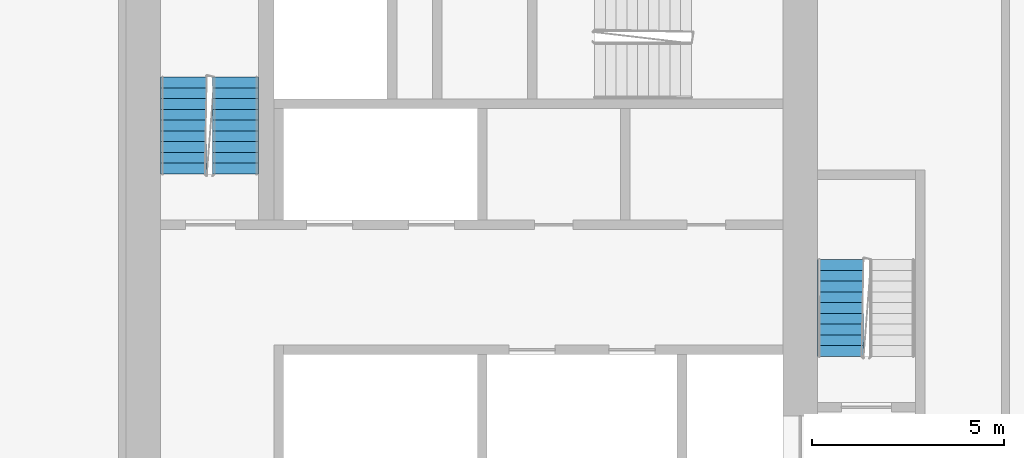
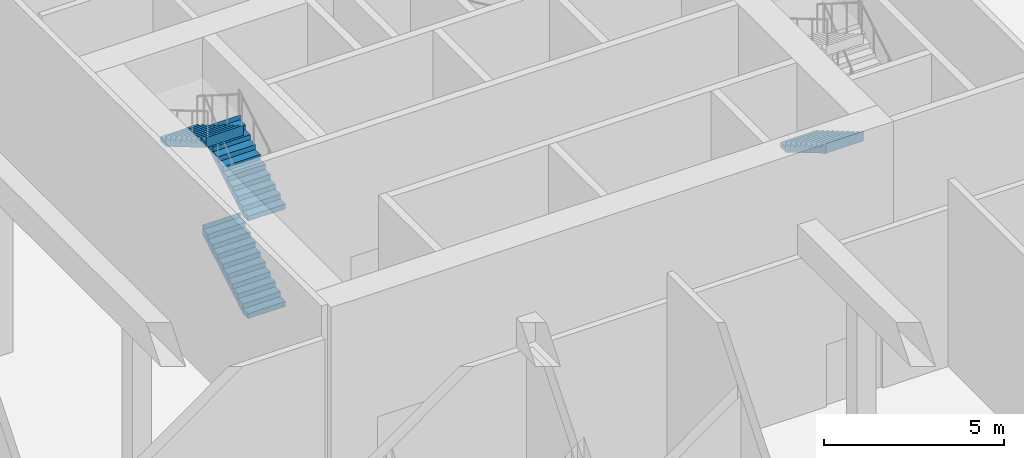
# One storey, part 19 of 24: 4 stair flights, 2 elements without a shape of their own.
"""IFC4 building model written with IfcOpenShell, lengths in metres."""

from ifc_helpers import new_model, si_unit, direction, frame, origin, place, context, subcontext, project, spatial, faceted_brep, material, type_object, element, aggregate, save


model = new_model("IFC4")

# Units and contexts
model_context = context("Model", 3, precision=1e-05, world=origin(), true_north=direction((0.0, 1.0)))
body_context = subcontext(model_context, "Body", "Model", "MODEL_VIEW")
ifc_project = project(units=[si_unit("LENGTHUNIT", "METRE"), si_unit("AREAUNIT", "SQUARE_METRE"), si_unit("VOLUMEUNIT", "CUBIC_METRE"), si_unit("PLANEANGLEUNIT", "RADIAN"), si_unit("MASSUNIT", "GRAM", prefix="KILO")], contexts=[model_context])

# Site, building, storey
site_placement = place(None, origin())
site = spatial("IfcSite", under=ifc_project, at=site_placement, CompositionType="ELEMENT")
building_placement = place(site_placement, origin())
building = spatial("IfcBuilding", under=site, at=building_placement, Name="Kajstack Hotel Tower", CompositionType="ELEMENT")
storey_placement = place(building_placement, frame((0.0, 0.0, 211.10009765625)))
storey = spatial("IfcBuildingStorey", under=building, at=storey_placement, Name="L51", CompositionType="ELEMENT", Elevation=211.10009765625)

# Stair, stair flight
ifc_material = material(Name="Concrete C40/50", Category="concrete")
stair_type = type_object("IfcStairType", Name="Exit stair 1200", PredefinedType="HALF_TURN_STAIR", material=ifc_material)
stair_1_placement = place(storey_placement, origin())
stair_1 = element("IfcStair", 1, at=stair_1_placement, inside=storey, type_object=stair_type, Name="L51 stair E1", PredefinedType="HALF_TURN_STAIR")
stair_flight_type = type_object("IfcStairFlightType", Name="Exit stair flight 1200", PredefinedType="STRAIGHT", material=ifc_material)
stair_flight_1_placement = place(storey_placement, frame((32.10009765625, 7.77001953125, 1.64990234375), z_axis=(0.0, 0.0, 1.0), x_axis=(0.0, -1.0, 0.0)))
stair_flight_1 = element("IfcStairFlight", 2, at=stair_flight_1_placement, type_object=stair_flight_type, Name="E1 flight 2", NumberOfRisers=10, NumberOfTreads=9, PredefinedType="STRAIGHT", RiserHeight=0.165, TreadLength=0.28, context=body_context, shape_type="Brep", body=[
    faceted_brep([(0.295654296875, -0.60009765625, 0.0), (2.5205078125, -0.60009765625, 1.31103515625), (2.5205078125, -0.60009765625, 1.64990234375), (2.52001953125, -0.60009765625, 1.64990234375), (2.52001953125, -0.60009765625, 1.485107421875), (2.239990234375, -0.60009765625, 1.485107421875), (2.239990234375, -0.60009765625, 1.320068359375), (1.9599609375, -0.60009765625, 1.320068359375), (1.9599609375, -0.60009765625, 1.155029296875), (1.679931640625, -0.60009765625, 1.155029296875), (1.679931640625, -0.60009765625, 0.989990234375), (1.39990234375, -0.60009765625, 0.989990234375), (1.39990234375, -0.60009765625, 0.824951171875), (1.1201171875, -0.60009765625, 0.824951171875), (1.1201171875, -0.60009765625, 0.659912109375), (0.840087890625, -0.60009765625, 0.659912109375), (0.840087890625, -0.60009765625, 0.4951171875), (0.56005859375, -0.60009765625, 0.4951171875), (0.56005859375, -0.60009765625, 0.330078125), (0.280029296875, -0.60009765625, 0.330078125), (0.280029296875, -0.60009765625, 0.1650390625), (-0.00048828125, -0.60009765625, 0.1650390625), (-0.00048828125, -0.60009765625, 0.0), (-0.00048828125, 0.60009765625, 0.0), (-0.00048828125, 0.60009765625, 0.1650390625), (0.280029296875, 0.60009765625, 0.1650390625), (0.280029296875, 0.60009765625, 0.330078125), (0.56005859375, 0.60009765625, 0.330078125), (0.56005859375, 0.60009765625, 0.4951171875), (0.840087890625, 0.60009765625, 0.4951171875), (0.840087890625, 0.60009765625, 0.659912109375), (1.1201171875, 0.60009765625, 0.659912109375), (1.1201171875, 0.60009765625, 0.824951171875), (1.39990234375, 0.60009765625, 0.824951171875), (1.39990234375, 0.60009765625, 0.989990234375), (1.679931640625, 0.60009765625, 0.989990234375), (1.679931640625, 0.60009765625, 1.155029296875), (1.9599609375, 0.60009765625, 1.155029296875), (1.9599609375, 0.60009765625, 1.320068359375), (2.239990234375, 0.60009765625, 1.320068359375), (2.239990234375, 0.60009765625, 1.485107421875), (2.52001953125, 0.60009765625, 1.485107421875), (2.52001953125, 0.60009765625, 1.64990234375), (2.5205078125, 0.60009765625, 1.64990234375), (2.5205078125, 0.60009765625, 1.31103515625), (0.295654296875, 0.60009765625, 0.0), (-0.00048828125, -0.300048828125, 0.1650390625), (-0.00048828125, 0.0, 0.1650390625), (-0.00048828125, 0.300048828125, 0.1650390625), (-0.00048828125, 0.300048828125, 0.0), (-0.00048828125, 0.0, 0.0), (-0.00048828125, -0.300048828125, 0.0), (0.280029296875, -0.300048828125, 0.1650390625), (0.280029296875, 0.0, 0.1650390625), (0.280029296875, 0.300048828125, 0.1650390625), (0.280029296875, -0.300048828125, 0.330078125), (0.280029296875, 0.0, 0.330078125), (0.280029296875, 0.300048828125, 0.330078125), (0.56005859375, -0.300048828125, 0.330078125), (0.56005859375, 0.0, 0.330078125), (0.56005859375, 0.300048828125, 0.330078125), (0.56005859375, -0.300048828125, 0.4951171875), (0.56005859375, 0.0, 0.4951171875), (0.56005859375, 0.300048828125, 0.4951171875), (0.840087890625, -0.300048828125, 0.4951171875), (0.840087890625, 0.0, 0.4951171875), (0.840087890625, 0.300048828125, 0.4951171875), (0.840087890625, -0.300048828125, 0.659912109375), (0.840087890625, 0.0, 0.659912109375), (0.840087890625, 0.300048828125, 0.659912109375), (1.1201171875, -0.300048828125, 0.659912109375), (1.1201171875, 0.0, 0.659912109375), (1.1201171875, 0.300048828125, 0.659912109375), (1.1201171875, -0.300048828125, 0.824951171875), (1.1201171875, 0.0, 0.824951171875), (1.1201171875, 0.300048828125, 0.824951171875), (1.39990234375, -0.300048828125, 0.824951171875), (1.39990234375, 0.0, 0.824951171875), (1.39990234375, 0.300048828125, 0.824951171875), (1.39990234375, -0.300048828125, 0.989990234375), (1.39990234375, 0.0, 0.989990234375), (1.39990234375, 0.300048828125, 0.989990234375), (1.679931640625, -0.300048828125, 0.989990234375), (1.679931640625, 0.0, 0.989990234375), (1.679931640625, 0.300048828125, 0.989990234375), (1.679931640625, -0.300048828125, 1.155029296875), (1.679931640625, 0.0, 1.155029296875), (1.679931640625, 0.300048828125, 1.155029296875), (1.9599609375, -0.300048828125, 1.155029296875), (1.9599609375, 0.0, 1.155029296875), (1.9599609375, 0.300048828125, 1.155029296875), (1.9599609375, -0.300048828125, 1.320068359375), (1.9599609375, 0.0, 1.320068359375), (1.9599609375, 0.300048828125, 1.320068359375), (2.239990234375, -0.300048828125, 1.320068359375), (2.239990234375, 0.0, 1.320068359375), (2.239990234375, 0.300048828125, 1.320068359375), (2.239990234375, -0.300048828125, 1.485107421875), (2.239990234375, 0.0, 1.485107421875), (2.239990234375, 0.300048828125, 1.485107421875), (2.52001953125, -0.300048828125, 1.485107421875), (2.52001953125, 0.0, 1.485107421875), (2.52001953125, 0.300048828125, 1.485107421875), (2.52001953125, -0.300048828125, 1.64990234375), (2.52001953125, 0.0, 1.64990234375), (2.52001953125, 0.300048828125, 1.64990234375), (2.5205078125, -0.300048828125, 1.64990234375), (2.5205078125, 0.0, 1.64990234375), (2.5205078125, 0.300048828125, 1.64990234375), (2.5205078125, -0.300048828125, 1.31103515625), (2.5205078125, 0.0, 1.31103515625), (2.5205078125, 0.300048828125, 1.31103515625), (0.295654296875, -0.300048828125, 0.0), (0.295654296875, 0.0, 0.0), (0.295654296875, 0.300048828125, 0.0)], [[[0, 1, 2, 3, 4, 5, 6, 7, 8, 9, 10, 11, 12, 13, 14, 15, 16, 17, 18, 19, 20, 21, 22]], [[23, 24, 25, 26, 27, 28, 29, 30, 31, 32, 33, 34, 35, 36, 37, 38, 39, 40, 41, 42, 43, 44, 45]], [[21, 46, 47, 48, 24, 23, 49, 50, 51, 22]], [[20, 52, 53, 54, 25, 24, 48, 47, 46, 21]], [[19, 55, 56, 57, 26, 25, 54, 53, 52, 20]], [[18, 58, 59, 60, 27, 26, 57, 56, 55, 19]], [[17, 61, 62, 63, 28, 27, 60, 59, 58, 18]], [[16, 64, 65, 66, 29, 28, 63, 62, 61, 17]], [[15, 67, 68, 69, 30, 29, 66, 65, 64, 16]], [[14, 70, 71, 72, 31, 30, 69, 68, 67, 15]], [[13, 73, 74, 75, 32, 31, 72, 71, 70, 14]], [[12, 76, 77, 78, 33, 32, 75, 74, 73, 13]], [[11, 79, 80, 81, 34, 33, 78, 77, 76, 12]], [[10, 82, 83, 84, 35, 34, 81, 80, 79, 11]], [[9, 85, 86, 87, 36, 35, 84, 83, 82, 10]], [[8, 88, 89, 90, 37, 36, 87, 86, 85, 9]], [[7, 91, 92, 93, 38, 37, 90, 89, 88, 8]], [[6, 94, 95, 96, 39, 38, 93, 92, 91, 7]], [[5, 97, 98, 99, 40, 39, 96, 95, 94, 6]], [[4, 100, 101, 102, 41, 40, 99, 98, 97, 5]], [[3, 103, 104, 105, 42, 41, 102, 101, 100, 4]], [[2, 106, 107, 108, 43, 42, 105, 104, 103, 3]], [[1, 109, 110, 111, 44, 43, 108, 107, 106, 2]], [[0, 112, 113, 114, 45, 44, 111, 110, 109, 1]], [[22, 51, 50, 49, 23, 45, 114, 113, 112, 0]]]),
])
aggregate(stair_1, [stair_flight_1])

# Stair, stair flights
stair_2_placement = place(storey_placement, origin())
stair_2 = element("IfcStair", 3, at=stair_2_placement, inside=storey, type_object=stair_type, Name="L51 stair E2", PredefinedType="HALF_TURN_STAIR")
stair_flight_2_placement = place(storey_placement, frame((16.35009765625, 10.0, 0.0), z_axis=(0.0, 0.0, 1.0), x_axis=(0.0, 1.0, 0.0)))
stair_flight_2 = element("IfcStairFlight", 4, at=stair_flight_2_placement, type_object=stair_flight_type, Name="E2 flight 1", NumberOfRisers=10, NumberOfTreads=9, PredefinedType="STRAIGHT", RiserHeight=0.165, TreadLength=0.28, context=body_context, shape_type="Brep", body=[
    faceted_brep([(0.295654296875, -0.60009765625, 0.0), (2.5205078125, -0.60009765625, 1.31103515625), (2.5205078125, -0.60009765625, 1.64990234375), (2.52001953125, -0.60009765625, 1.64990234375), (2.52001953125, -0.60009765625, 1.485107421875), (2.239990234375, -0.60009765625, 1.485107421875), (2.239990234375, -0.60009765625, 1.320068359375), (1.9599609375, -0.60009765625, 1.320068359375), (1.9599609375, -0.60009765625, 1.155029296875), (1.679931640625, -0.60009765625, 1.155029296875), (1.679931640625, -0.60009765625, 0.989990234375), (1.39990234375, -0.60009765625, 0.989990234375), (1.39990234375, -0.60009765625, 0.824951171875), (1.1201171875, -0.60009765625, 0.824951171875), (1.1201171875, -0.60009765625, 0.659912109375), (0.840087890625, -0.60009765625, 0.659912109375), (0.840087890625, -0.60009765625, 0.4951171875), (0.56005859375, -0.60009765625, 0.4951171875), (0.56005859375, -0.60009765625, 0.330078125), (0.280029296875, -0.60009765625, 0.330078125), (0.280029296875, -0.60009765625, 0.1650390625), (-0.00048828125, -0.60009765625, 0.1650390625), (-0.00048828125, -0.60009765625, 0.0), (-0.00048828125, 0.60009765625, 0.0), (-0.00048828125, 0.60009765625, 0.1650390625), (0.280029296875, 0.60009765625, 0.1650390625), (0.280029296875, 0.60009765625, 0.330078125), (0.56005859375, 0.60009765625, 0.330078125), (0.56005859375, 0.60009765625, 0.4951171875), (0.840087890625, 0.60009765625, 0.4951171875), (0.840087890625, 0.60009765625, 0.659912109375), (1.1201171875, 0.60009765625, 0.659912109375), (1.1201171875, 0.60009765625, 0.824951171875), (1.39990234375, 0.60009765625, 0.824951171875), (1.39990234375, 0.60009765625, 0.989990234375), (1.679931640625, 0.60009765625, 0.989990234375), (1.679931640625, 0.60009765625, 1.155029296875), (1.9599609375, 0.60009765625, 1.155029296875), (1.9599609375, 0.60009765625, 1.320068359375), (2.239990234375, 0.60009765625, 1.320068359375), (2.239990234375, 0.60009765625, 1.485107421875), (2.52001953125, 0.60009765625, 1.485107421875), (2.52001953125, 0.60009765625, 1.64990234375), (2.5205078125, 0.60009765625, 1.64990234375), (2.5205078125, 0.60009765625, 1.31103515625), (0.295654296875, 0.60009765625, 0.0), (-0.00048828125, -0.300048828125, 0.1650390625), (-0.00048828125, 0.0, 0.1650390625), (-0.00048828125, 0.300048828125, 0.1650390625), (-0.00048828125, 0.300048828125, 0.0), (-0.00048828125, 0.0, 0.0), (-0.00048828125, -0.300048828125, 0.0), (0.280029296875, -0.300048828125, 0.1650390625), (0.280029296875, 0.0, 0.1650390625), (0.280029296875, 0.300048828125, 0.1650390625), (0.280029296875, -0.300048828125, 0.330078125), (0.280029296875, 0.0, 0.330078125), (0.280029296875, 0.300048828125, 0.330078125), (0.56005859375, -0.300048828125, 0.330078125), (0.56005859375, 0.0, 0.330078125), (0.56005859375, 0.300048828125, 0.330078125), (0.56005859375, -0.300048828125, 0.4951171875), (0.56005859375, 0.0, 0.4951171875), (0.56005859375, 0.300048828125, 0.4951171875), (0.840087890625, -0.300048828125, 0.4951171875), (0.840087890625, 0.0, 0.4951171875), (0.840087890625, 0.300048828125, 0.4951171875), (0.840087890625, -0.300048828125, 0.659912109375), (0.840087890625, 0.0, 0.659912109375), (0.840087890625, 0.300048828125, 0.659912109375), (1.1201171875, -0.300048828125, 0.659912109375), (1.1201171875, 0.0, 0.659912109375), (1.1201171875, 0.300048828125, 0.659912109375), (1.1201171875, -0.300048828125, 0.824951171875), (1.1201171875, 0.0, 0.824951171875), (1.1201171875, 0.300048828125, 0.824951171875), (1.39990234375, -0.300048828125, 0.824951171875), (1.39990234375, 0.0, 0.824951171875), (1.39990234375, 0.300048828125, 0.824951171875), (1.39990234375, -0.300048828125, 0.989990234375), (1.39990234375, 0.0, 0.989990234375), (1.39990234375, 0.300048828125, 0.989990234375), (1.679931640625, -0.300048828125, 0.989990234375), (1.679931640625, 0.0, 0.989990234375), (1.679931640625, 0.300048828125, 0.989990234375), (1.679931640625, -0.300048828125, 1.155029296875), (1.679931640625, 0.0, 1.155029296875), (1.679931640625, 0.300048828125, 1.155029296875), (1.9599609375, -0.300048828125, 1.155029296875), (1.9599609375, 0.0, 1.155029296875), (1.9599609375, 0.300048828125, 1.155029296875), (1.9599609375, -0.300048828125, 1.320068359375), (1.9599609375, 0.0, 1.320068359375), (1.9599609375, 0.300048828125, 1.320068359375), (2.239990234375, -0.300048828125, 1.320068359375), (2.239990234375, 0.0, 1.320068359375), (2.239990234375, 0.300048828125, 1.320068359375), (2.239990234375, -0.300048828125, 1.485107421875), (2.239990234375, 0.0, 1.485107421875), (2.239990234375, 0.300048828125, 1.485107421875), (2.52001953125, -0.300048828125, 1.485107421875), (2.52001953125, 0.0, 1.485107421875), (2.52001953125, 0.300048828125, 1.485107421875), (2.52001953125, -0.300048828125, 1.64990234375), (2.52001953125, 0.0, 1.64990234375), (2.52001953125, 0.300048828125, 1.64990234375), (2.5205078125, -0.300048828125, 1.64990234375), (2.5205078125, 0.0, 1.64990234375), (2.5205078125, 0.300048828125, 1.64990234375), (2.5205078125, -0.300048828125, 1.31103515625), (2.5205078125, 0.0, 1.31103515625), (2.5205078125, 0.300048828125, 1.31103515625), (0.295654296875, -0.300048828125, 0.0), (0.295654296875, 0.0, 0.0), (0.295654296875, 0.300048828125, 0.0)], [[[0, 1, 2, 3, 4, 5, 6, 7, 8, 9, 10, 11, 12, 13, 14, 15, 16, 17, 18, 19, 20, 21, 22]], [[23, 24, 25, 26, 27, 28, 29, 30, 31, 32, 33, 34, 35, 36, 37, 38, 39, 40, 41, 42, 43, 44, 45]], [[21, 46, 47, 48, 24, 23, 49, 50, 51, 22]], [[20, 52, 53, 54, 25, 24, 48, 47, 46, 21]], [[19, 55, 56, 57, 26, 25, 54, 53, 52, 20]], [[18, 58, 59, 60, 27, 26, 57, 56, 55, 19]], [[17, 61, 62, 63, 28, 27, 60, 59, 58, 18]], [[16, 64, 65, 66, 29, 28, 63, 62, 61, 17]], [[15, 67, 68, 69, 30, 29, 66, 65, 64, 16]], [[14, 70, 71, 72, 31, 30, 69, 68, 67, 15]], [[13, 73, 74, 75, 32, 31, 72, 71, 70, 14]], [[12, 76, 77, 78, 33, 32, 75, 74, 73, 13]], [[11, 79, 80, 81, 34, 33, 78, 77, 76, 12]], [[10, 82, 83, 84, 35, 34, 81, 80, 79, 11]], [[9, 85, 86, 87, 36, 35, 84, 83, 82, 10]], [[8, 88, 89, 90, 37, 36, 87, 86, 85, 9]], [[7, 91, 92, 93, 38, 37, 90, 89, 88, 8]], [[6, 94, 95, 96, 39, 38, 93, 92, 91, 7]], [[5, 97, 98, 99, 40, 39, 96, 95, 94, 6]], [[4, 100, 101, 102, 41, 40, 99, 98, 97, 5]], [[3, 103, 104, 105, 42, 41, 102, 101, 100, 4]], [[2, 106, 107, 108, 43, 42, 105, 104, 103, 3]], [[1, 109, 110, 111, 44, 43, 108, 107, 106, 2]], [[0, 112, 113, 114, 45, 44, 111, 110, 109, 1]], [[22, 51, 50, 49, 23, 45, 114, 113, 112, 0]]]),
])
stair_flight_3_placement = place(storey_placement, frame((16.35009765625, 10.0, 3.2998046875), z_axis=(0.0, 0.0, 1.0), x_axis=(0.0, 1.0, 0.0)))
stair_flight_3 = element("IfcStairFlight", 5, at=stair_flight_3_placement, type_object=stair_flight_type, Name="E2 flight 3", NumberOfRisers=10, NumberOfTreads=9, PredefinedType="STRAIGHT", RiserHeight=0.165, TreadLength=0.28, context=body_context, shape_type="Brep", body=[
    faceted_brep([(0.295654296875, -0.60009765625, 0.0), (2.5205078125, -0.60009765625, 1.31103515625), (2.5205078125, -0.60009765625, 1.64990234375), (2.52001953125, -0.60009765625, 1.64990234375), (2.52001953125, -0.60009765625, 1.485107421875), (2.239990234375, -0.60009765625, 1.485107421875), (2.239990234375, -0.60009765625, 1.320068359375), (1.9599609375, -0.60009765625, 1.320068359375), (1.9599609375, -0.60009765625, 1.155029296875), (1.679931640625, -0.60009765625, 1.155029296875), (1.679931640625, -0.60009765625, 0.989990234375), (1.39990234375, -0.60009765625, 0.989990234375), (1.39990234375, -0.60009765625, 0.824951171875), (1.1201171875, -0.60009765625, 0.824951171875), (1.1201171875, -0.60009765625, 0.659912109375), (0.840087890625, -0.60009765625, 0.659912109375), (0.840087890625, -0.60009765625, 0.4951171875), (0.56005859375, -0.60009765625, 0.4951171875), (0.56005859375, -0.60009765625, 0.330078125), (0.280029296875, -0.60009765625, 0.330078125), (0.280029296875, -0.60009765625, 0.1650390625), (-0.00048828125, -0.60009765625, 0.1650390625), (-0.00048828125, -0.60009765625, 0.0), (-0.00048828125, 0.60009765625, 0.0), (-0.00048828125, 0.60009765625, 0.1650390625), (0.280029296875, 0.60009765625, 0.1650390625), (0.280029296875, 0.60009765625, 0.330078125), (0.56005859375, 0.60009765625, 0.330078125), (0.56005859375, 0.60009765625, 0.4951171875), (0.840087890625, 0.60009765625, 0.4951171875), (0.840087890625, 0.60009765625, 0.659912109375), (1.1201171875, 0.60009765625, 0.659912109375), (1.1201171875, 0.60009765625, 0.824951171875), (1.39990234375, 0.60009765625, 0.824951171875), (1.39990234375, 0.60009765625, 0.989990234375), (1.679931640625, 0.60009765625, 0.989990234375), (1.679931640625, 0.60009765625, 1.155029296875), (1.9599609375, 0.60009765625, 1.155029296875), (1.9599609375, 0.60009765625, 1.320068359375), (2.239990234375, 0.60009765625, 1.320068359375), (2.239990234375, 0.60009765625, 1.485107421875), (2.52001953125, 0.60009765625, 1.485107421875), (2.52001953125, 0.60009765625, 1.64990234375), (2.5205078125, 0.60009765625, 1.64990234375), (2.5205078125, 0.60009765625, 1.31103515625), (0.295654296875, 0.60009765625, 0.0), (-0.00048828125, -0.300048828125, 0.1650390625), (-0.00048828125, 0.0, 0.1650390625), (-0.00048828125, 0.300048828125, 0.1650390625), (-0.00048828125, 0.300048828125, 0.0), (-0.00048828125, 0.0, 0.0), (-0.00048828125, -0.300048828125, 0.0), (0.280029296875, -0.300048828125, 0.1650390625), (0.280029296875, 0.0, 0.1650390625), (0.280029296875, 0.300048828125, 0.1650390625), (0.280029296875, -0.300048828125, 0.330078125), (0.280029296875, 0.0, 0.330078125), (0.280029296875, 0.300048828125, 0.330078125), (0.56005859375, -0.300048828125, 0.330078125), (0.56005859375, 0.0, 0.330078125), (0.56005859375, 0.300048828125, 0.330078125), (0.56005859375, -0.300048828125, 0.4951171875), (0.56005859375, 0.0, 0.4951171875), (0.56005859375, 0.300048828125, 0.4951171875), (0.840087890625, -0.300048828125, 0.4951171875), (0.840087890625, 0.0, 0.4951171875), (0.840087890625, 0.300048828125, 0.4951171875), (0.840087890625, -0.300048828125, 0.659912109375), (0.840087890625, 0.0, 0.659912109375), (0.840087890625, 0.300048828125, 0.659912109375), (1.1201171875, -0.300048828125, 0.659912109375), (1.1201171875, 0.0, 0.659912109375), (1.1201171875, 0.300048828125, 0.659912109375), (1.1201171875, -0.300048828125, 0.824951171875), (1.1201171875, 0.0, 0.824951171875), (1.1201171875, 0.300048828125, 0.824951171875), (1.39990234375, -0.300048828125, 0.824951171875), (1.39990234375, 0.0, 0.824951171875), (1.39990234375, 0.300048828125, 0.824951171875), (1.39990234375, -0.300048828125, 0.989990234375), (1.39990234375, 0.0, 0.989990234375), (1.39990234375, 0.300048828125, 0.989990234375), (1.679931640625, -0.300048828125, 0.989990234375), (1.679931640625, 0.0, 0.989990234375), (1.679931640625, 0.300048828125, 0.989990234375), (1.679931640625, -0.300048828125, 1.155029296875), (1.679931640625, 0.0, 1.155029296875), (1.679931640625, 0.300048828125, 1.155029296875), (1.9599609375, -0.300048828125, 1.155029296875), (1.9599609375, 0.0, 1.155029296875), (1.9599609375, 0.300048828125, 1.155029296875), (1.9599609375, -0.300048828125, 1.320068359375), (1.9599609375, 0.0, 1.320068359375), (1.9599609375, 0.300048828125, 1.320068359375), (2.239990234375, -0.300048828125, 1.320068359375), (2.239990234375, 0.0, 1.320068359375), (2.239990234375, 0.300048828125, 1.320068359375), (2.239990234375, -0.300048828125, 1.485107421875), (2.239990234375, 0.0, 1.485107421875), (2.239990234375, 0.300048828125, 1.485107421875), (2.52001953125, -0.300048828125, 1.485107421875), (2.52001953125, 0.0, 1.485107421875), (2.52001953125, 0.300048828125, 1.485107421875), (2.52001953125, -0.300048828125, 1.64990234375), (2.52001953125, 0.0, 1.64990234375), (2.52001953125, 0.300048828125, 1.64990234375), (2.5205078125, -0.300048828125, 1.64990234375), (2.5205078125, 0.0, 1.64990234375), (2.5205078125, 0.300048828125, 1.64990234375), (2.5205078125, -0.300048828125, 1.31103515625), (2.5205078125, 0.0, 1.31103515625), (2.5205078125, 0.300048828125, 1.31103515625), (0.295654296875, -0.300048828125, 0.0), (0.295654296875, 0.0, 0.0), (0.295654296875, 0.300048828125, 0.0)], [[[0, 1, 2, 3, 4, 5, 6, 7, 8, 9, 10, 11, 12, 13, 14, 15, 16, 17, 18, 19, 20, 21, 22]], [[23, 24, 25, 26, 27, 28, 29, 30, 31, 32, 33, 34, 35, 36, 37, 38, 39, 40, 41, 42, 43, 44, 45]], [[21, 46, 47, 48, 24, 23, 49, 50, 51, 22]], [[20, 52, 53, 54, 25, 24, 48, 47, 46, 21]], [[19, 55, 56, 57, 26, 25, 54, 53, 52, 20]], [[18, 58, 59, 60, 27, 26, 57, 56, 55, 19]], [[17, 61, 62, 63, 28, 27, 60, 59, 58, 18]], [[16, 64, 65, 66, 29, 28, 63, 62, 61, 17]], [[15, 67, 68, 69, 30, 29, 66, 65, 64, 16]], [[14, 70, 71, 72, 31, 30, 69, 68, 67, 15]], [[13, 73, 74, 75, 32, 31, 72, 71, 70, 14]], [[12, 76, 77, 78, 33, 32, 75, 74, 73, 13]], [[11, 79, 80, 81, 34, 33, 78, 77, 76, 12]], [[10, 82, 83, 84, 35, 34, 81, 80, 79, 11]], [[9, 85, 86, 87, 36, 35, 84, 83, 82, 10]], [[8, 88, 89, 90, 37, 36, 87, 86, 85, 9]], [[7, 91, 92, 93, 38, 37, 90, 89, 88, 8]], [[6, 94, 95, 96, 39, 38, 93, 92, 91, 7]], [[5, 97, 98, 99, 40, 39, 96, 95, 94, 6]], [[4, 100, 101, 102, 41, 40, 99, 98, 97, 5]], [[3, 103, 104, 105, 42, 41, 102, 101, 100, 4]], [[2, 106, 107, 108, 43, 42, 105, 104, 103, 3]], [[1, 109, 110, 111, 44, 43, 108, 107, 106, 2]], [[0, 112, 113, 114, 45, 44, 111, 110, 109, 1]], [[22, 51, 50, 49, 23, 45, 114, 113, 112, 0]]]),
])
stair_flight_4_placement = place(storey_placement, frame((15.0, 12.52001953125, 4.949951171875), z_axis=(0.0, 0.0, 1.0), x_axis=(0.0, -1.0, 0.0)))
stair_flight_4 = element("IfcStairFlight", 6, at=stair_flight_4_placement, type_object=stair_flight_type, Name="E2 flight 4", NumberOfRisers=10, NumberOfTreads=9, PredefinedType="STRAIGHT", RiserHeight=0.165, TreadLength=0.28, context=body_context, shape_type="Brep", body=[
    faceted_brep([(0.295654296875, -0.60009765625, 0.0), (2.5205078125, -0.60009765625, 1.31103515625), (2.5205078125, -0.60009765625, 1.64990234375), (2.52001953125, -0.60009765625, 1.64990234375), (2.52001953125, -0.60009765625, 1.485107421875), (2.239990234375, -0.60009765625, 1.485107421875), (2.239990234375, -0.60009765625, 1.320068359375), (1.9599609375, -0.60009765625, 1.320068359375), (1.9599609375, -0.60009765625, 1.155029296875), (1.679931640625, -0.60009765625, 1.155029296875), (1.679931640625, -0.60009765625, 0.989990234375), (1.39990234375, -0.60009765625, 0.989990234375), (1.39990234375, -0.60009765625, 0.824951171875), (1.1201171875, -0.60009765625, 0.824951171875), (1.1201171875, -0.60009765625, 0.659912109375), (0.840087890625, -0.60009765625, 0.659912109375), (0.840087890625, -0.60009765625, 0.4951171875), (0.56005859375, -0.60009765625, 0.4951171875), (0.56005859375, -0.60009765625, 0.330078125), (0.280029296875, -0.60009765625, 0.330078125), (0.280029296875, -0.60009765625, 0.1650390625), (-0.00048828125, -0.60009765625, 0.1650390625), (-0.00048828125, -0.60009765625, 0.0), (-0.00048828125, 0.60009765625, 0.0), (-0.00048828125, 0.60009765625, 0.1650390625), (0.280029296875, 0.60009765625, 0.1650390625), (0.280029296875, 0.60009765625, 0.330078125), (0.56005859375, 0.60009765625, 0.330078125), (0.56005859375, 0.60009765625, 0.4951171875), (0.840087890625, 0.60009765625, 0.4951171875), (0.840087890625, 0.60009765625, 0.659912109375), (1.1201171875, 0.60009765625, 0.659912109375), (1.1201171875, 0.60009765625, 0.824951171875), (1.39990234375, 0.60009765625, 0.824951171875), (1.39990234375, 0.60009765625, 0.989990234375), (1.679931640625, 0.60009765625, 0.989990234375), (1.679931640625, 0.60009765625, 1.155029296875), (1.9599609375, 0.60009765625, 1.155029296875), (1.9599609375, 0.60009765625, 1.320068359375), (2.239990234375, 0.60009765625, 1.320068359375), (2.239990234375, 0.60009765625, 1.485107421875), (2.52001953125, 0.60009765625, 1.485107421875), (2.52001953125, 0.60009765625, 1.64990234375), (2.5205078125, 0.60009765625, 1.64990234375), (2.5205078125, 0.60009765625, 1.31103515625), (0.295654296875, 0.60009765625, 0.0), (-0.00048828125, -0.300048828125, 0.1650390625), (-0.00048828125, 0.0, 0.1650390625), (-0.00048828125, 0.300048828125, 0.1650390625), (-0.00048828125, 0.300048828125, 0.0), (-0.00048828125, 0.0, 0.0), (-0.00048828125, -0.300048828125, 0.0), (0.280029296875, -0.300048828125, 0.1650390625), (0.280029296875, 0.0, 0.1650390625), (0.280029296875, 0.300048828125, 0.1650390625), (0.280029296875, -0.300048828125, 0.330078125), (0.280029296875, 0.0, 0.330078125), (0.280029296875, 0.300048828125, 0.330078125), (0.56005859375, -0.300048828125, 0.330078125), (0.56005859375, 0.0, 0.330078125), (0.56005859375, 0.300048828125, 0.330078125), (0.56005859375, -0.300048828125, 0.4951171875), (0.56005859375, 0.0, 0.4951171875), (0.56005859375, 0.300048828125, 0.4951171875), (0.840087890625, -0.300048828125, 0.4951171875), (0.840087890625, 0.0, 0.4951171875), (0.840087890625, 0.300048828125, 0.4951171875), (0.840087890625, -0.300048828125, 0.659912109375), (0.840087890625, 0.0, 0.659912109375), (0.840087890625, 0.300048828125, 0.659912109375), (1.1201171875, -0.300048828125, 0.659912109375), (1.1201171875, 0.0, 0.659912109375), (1.1201171875, 0.300048828125, 0.659912109375), (1.1201171875, -0.300048828125, 0.824951171875), (1.1201171875, 0.0, 0.824951171875), (1.1201171875, 0.300048828125, 0.824951171875), (1.39990234375, -0.300048828125, 0.824951171875), (1.39990234375, 0.0, 0.824951171875), (1.39990234375, 0.300048828125, 0.824951171875), (1.39990234375, -0.300048828125, 0.989990234375), (1.39990234375, 0.0, 0.989990234375), (1.39990234375, 0.300048828125, 0.989990234375), (1.679931640625, -0.300048828125, 0.989990234375), (1.679931640625, 0.0, 0.989990234375), (1.679931640625, 0.300048828125, 0.989990234375), (1.679931640625, -0.300048828125, 1.155029296875), (1.679931640625, 0.0, 1.155029296875), (1.679931640625, 0.300048828125, 1.155029296875), (1.9599609375, -0.300048828125, 1.155029296875), (1.9599609375, 0.0, 1.155029296875), (1.9599609375, 0.300048828125, 1.155029296875), (1.9599609375, -0.300048828125, 1.320068359375), (1.9599609375, 0.0, 1.320068359375), (1.9599609375, 0.300048828125, 1.320068359375), (2.239990234375, -0.300048828125, 1.320068359375), (2.239990234375, 0.0, 1.320068359375), (2.239990234375, 0.300048828125, 1.320068359375), (2.239990234375, -0.300048828125, 1.485107421875), (2.239990234375, 0.0, 1.485107421875), (2.239990234375, 0.300048828125, 1.485107421875), (2.52001953125, -0.300048828125, 1.485107421875), (2.52001953125, 0.0, 1.485107421875), (2.52001953125, 0.300048828125, 1.485107421875), (2.52001953125, -0.300048828125, 1.64990234375), (2.52001953125, 0.0, 1.64990234375), (2.52001953125, 0.300048828125, 1.64990234375), (2.5205078125, -0.300048828125, 1.64990234375), (2.5205078125, 0.0, 1.64990234375), (2.5205078125, 0.300048828125, 1.64990234375), (2.5205078125, -0.300048828125, 1.31103515625), (2.5205078125, 0.0, 1.31103515625), (2.5205078125, 0.300048828125, 1.31103515625), (0.295654296875, -0.300048828125, 0.0), (0.295654296875, 0.0, 0.0), (0.295654296875, 0.300048828125, 0.0)], [[[0, 1, 2, 3, 4, 5, 6, 7, 8, 9, 10, 11, 12, 13, 14, 15, 16, 17, 18, 19, 20, 21, 22]], [[23, 24, 25, 26, 27, 28, 29, 30, 31, 32, 33, 34, 35, 36, 37, 38, 39, 40, 41, 42, 43, 44, 45]], [[21, 46, 47, 48, 24, 23, 49, 50, 51, 22]], [[20, 52, 53, 54, 25, 24, 48, 47, 46, 21]], [[19, 55, 56, 57, 26, 25, 54, 53, 52, 20]], [[18, 58, 59, 60, 27, 26, 57, 56, 55, 19]], [[17, 61, 62, 63, 28, 27, 60, 59, 58, 18]], [[16, 64, 65, 66, 29, 28, 63, 62, 61, 17]], [[15, 67, 68, 69, 30, 29, 66, 65, 64, 16]], [[14, 70, 71, 72, 31, 30, 69, 68, 67, 15]], [[13, 73, 74, 75, 32, 31, 72, 71, 70, 14]], [[12, 76, 77, 78, 33, 32, 75, 74, 73, 13]], [[11, 79, 80, 81, 34, 33, 78, 77, 76, 12]], [[10, 82, 83, 84, 35, 34, 81, 80, 79, 11]], [[9, 85, 86, 87, 36, 35, 84, 83, 82, 10]], [[8, 88, 89, 90, 37, 36, 87, 86, 85, 9]], [[7, 91, 92, 93, 38, 37, 90, 89, 88, 8]], [[6, 94, 95, 96, 39, 38, 93, 92, 91, 7]], [[5, 97, 98, 99, 40, 39, 96, 95, 94, 6]], [[4, 100, 101, 102, 41, 40, 99, 98, 97, 5]], [[3, 103, 104, 105, 42, 41, 102, 101, 100, 4]], [[2, 106, 107, 108, 43, 42, 105, 104, 103, 3]], [[1, 109, 110, 111, 44, 43, 108, 107, 106, 2]], [[0, 112, 113, 114, 45, 44, 111, 110, 109, 1]], [[22, 51, 50, 49, 23, 45, 114, 113, 112, 0]]]),
])
aggregate(stair_2, [stair_flight_2, stair_flight_3, stair_flight_4])

save(model, "model.ifc")
